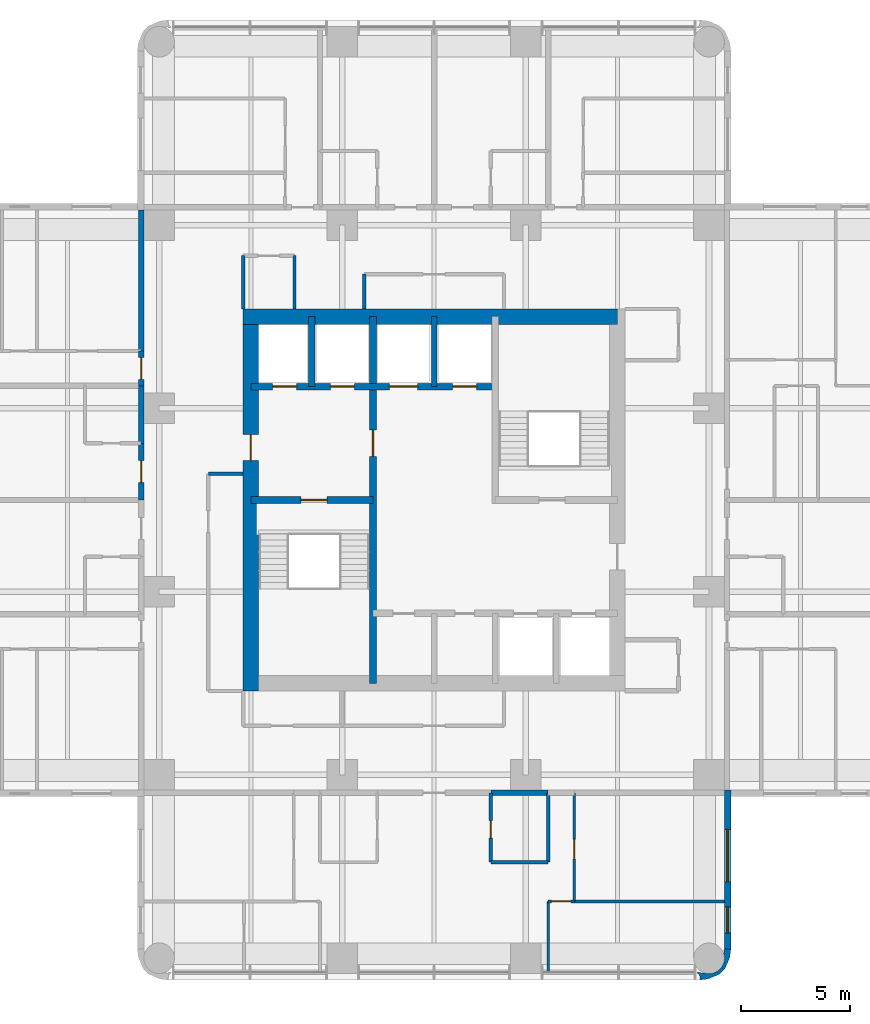
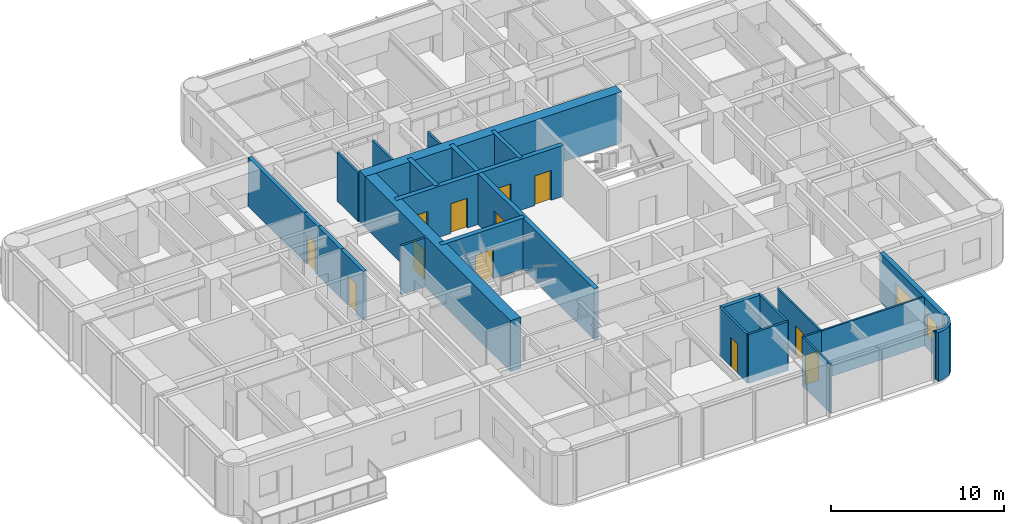
# One storey, part 6 of 11: 25 walls, 12 doors, 2 windows, 14 openings.
"""IFC4 building model written with IfcOpenShell, lengths in metres."""

from ifc_helpers import new_model, si_unit, direction, frame, frame_2d, origin, place, context, subcontext, project, spatial, polyline, rectangle, outline, extrude, material, layer, layer_set, type_object, element, fill, save


model = new_model("IFC4")

# Units and contexts
model_context = context("Model", 3, precision=1e-05, world=origin(), true_north=direction((0.0, 1.0)))
body_context = subcontext(model_context, "Body", "Model", "MODEL_VIEW")
ifc_project = project(units=[si_unit("LENGTHUNIT", "METRE"), si_unit("AREAUNIT", "SQUARE_METRE"), si_unit("VOLUMEUNIT", "CUBIC_METRE"), si_unit("PLANEANGLEUNIT", "RADIAN"), si_unit("MASSUNIT", "GRAM", prefix="KILO")], contexts=[model_context])

# Site, building, storey
site_placement = place(None, origin())
site = spatial("IfcSite", under=ifc_project, at=site_placement, CompositionType="ELEMENT")
building_placement = place(site_placement, origin())
building = spatial("IfcBuilding", under=site, at=building_placement, Name="Torre Alcanfor", CompositionType="ELEMENT")
storey_placement = place(building_placement, frame((0.0, 0.0, 219.300048828125)))
storey = spatial("IfcBuildingStorey", under=building, at=storey_placement, Name="L57", CompositionType="ELEMENT", Elevation=219.300048828125)

# Wall
ifc_material_1 = material(Name="Concrete block masonry, hollow blocks NMX-C-404 9 MPa", Category="masonry")
ifc_layer_1 = layer(ifc_material_1, 0.25)
ifc_layer_set_1 = layer_set([ifc_layer_1], Name="Apartment entrance wall 250 EI 60")
wall_type_1 = type_object("IfcWallType", Name="Apartment entrance wall 250 EI 60", PredefinedType="PARTITIONING", material=ifc_layer_set_1)
wall_1_placement = place(storey_placement, frame((34.62890625, 15.97509765625, 0.0), z_axis=(0.0, 0.0, 1.0), x_axis=(-1.0, 0.0, 0.0)))
element("IfcWall", 1, at=wall_1_placement, inside=storey, type_object=wall_type_1, Name="Partition L57-CORR / L57-SX-BATH2", PredefinedType="PARTITIONING", context=body_context, shape_type="SweptSolid", body=[
    extrude(rectangle(XDim=2.62890625, YDim=0.25, at=frame_2d((1.314453125, 0.0))), origin(), (0.0, 0.0, 1.0), 3.449951171875),
])

# Wall, opening, door
wall_2_placement = place(storey_placement, frame((15.97509765625, 29.39990234375, 0.0), z_axis=(0.0, 0.0, 1.0), x_axis=(0.0, 1.0, 0.0)))
wall_2 = element("IfcWall", 2, at=wall_2_placement, inside=storey, type_object=wall_type_1, Name="Partition L57-CORR / L57-W2A-FOYER", PredefinedType="PARTITIONING", context=body_context, shape_type="SweptSolid", body=[
    extrude(rectangle(XDim=2.60009765625, YDim=0.25, at=frame_2d((1.300048828125, 0.0))), origin(), (0.0, 0.0, 1.0), 3.449951171875),
])
opening_1_placement = place(wall_2_placement, frame((0.800048828125, 0.0, 0.0)))
opening_1 = element("IfcOpeningElement", 3, at=opening_1_placement, cuts=wall_2, Name="Opening D-A1", PredefinedType="OPENING", context=body_context, shape_type="SweptSolid", body=[
    extrude(rectangle(XDim=1.0, YDim=2.10009765625, at=frame_2d((0.5, 1.050048828125))), frame((0.0, 0.135009765625, 0.0), z_axis=(0.0, -1.0, 0.0), x_axis=(1.0, 0.0, 0.0)), (0.0, 0.0, 1.0), 0.27001953125),
])
ifc_material_2 = material(Name="Galvanised steel sheet ASTM A653", Category="steel")
door_type_1 = type_object("IfcDoorType", Name="Apartment entrance door FD60 1000x2100", OperationType="SINGLE_SWING_LEFT", PredefinedType="DOOR", material=ifc_material_2)
door_1_placement = place(opening_1_placement, origin())
door_1 = element("IfcDoor", 4, at=door_1_placement, inside=storey, type_object=door_type_1, Name="Apartment entrance L57-W2A", OperationType="SINGLE_SWING_LEFT", OverallHeight=2.10009765625, OverallWidth=1.0, PredefinedType="DOOR", context=body_context, shape_type="SweptSolid", body=[
    extrude(rectangle(XDim=1.0, YDim=2.10009765625, at=frame_2d((0.5, 1.050048828125))), frame((0.0, 0.02490234375, 0.0), z_axis=(0.0, -1.0, 0.0), x_axis=(1.0, 0.0, 0.0)), (0.0, 0.0, 1.0), 0.050048828125),
])
fill(opening_1, door_1)

# Wall
wall_3_placement = place(storey_placement, frame((15.97509765625, 32.0, 0.0), z_axis=(0.0, 0.0, 1.0), x_axis=(0.0, 1.0, 0.0)))
element("IfcWall", 5, at=wall_3_placement, inside=storey, type_object=wall_type_1, Name="Partition L57-CORR / L57-W2A-BATH", PredefinedType="PARTITIONING", context=body_context, shape_type="SweptSolid", body=[
    extrude(rectangle(XDim=2.62890625, YDim=0.25, at=frame_2d((1.314453125, 0.0))), origin(), (0.0, 0.0, 1.0), 3.449951171875),
])

# Wall, opening, door
wall_4_placement = place(storey_placement, frame((15.97509765625, 34.62890625, 0.0), z_axis=(0.0, 0.0, 1.0), x_axis=(0.0, 1.0, 0.0)))
wall_4 = element("IfcWall", 6, at=wall_4_placement, inside=storey, type_object=wall_type_1, Name="Partition L57-CORR / L57-W2B-HALL", PredefinedType="PARTITIONING", context=body_context, shape_type="SweptSolid", body=[
    extrude(rectangle(XDim=1.60009765625, YDim=0.25, at=frame_2d((0.800048828125, 0.0))), origin(), (0.0, 0.0, 1.0), 3.449951171875),
])
opening_2_placement = place(wall_4_placement, frame((0.300048828125, 0.0, 0.0)))
opening_2 = element("IfcOpeningElement", 7, at=opening_2_placement, cuts=wall_4, Name="Opening D-A1", PredefinedType="OPENING", context=body_context, shape_type="SweptSolid", body=[
    extrude(rectangle(XDim=1.0, YDim=2.10009765625, at=frame_2d((0.5, 1.050048828125))), frame((0.0, 0.135009765625, 0.0), z_axis=(0.0, -1.0, 0.0), x_axis=(1.0, 0.0, 0.0)), (0.0, 0.0, 1.0), 0.27001953125),
])
door_2_placement = place(opening_2_placement, origin())
door_2 = element("IfcDoor", 8, at=door_2_placement, inside=storey, type_object=door_type_1, Name="Apartment entrance L57-W2B", OperationType="SINGLE_SWING_LEFT", OverallHeight=2.10009765625, OverallWidth=1.0, PredefinedType="DOOR", context=body_context, shape_type="SweptSolid", body=[
    extrude(rectangle(XDim=1.0, YDim=2.10009765625, at=frame_2d((0.5, 1.050048828125))), frame((0.0, 0.02490234375, 0.0), z_axis=(0.0, -1.0, 0.0), x_axis=(1.0, 0.0, 0.0)), (0.0, 0.0, 1.0), 0.050048828125),
])
fill(opening_2, door_2)

# Wall
wall_5_placement = place(storey_placement, frame((15.97509765625, 36.22900390625, 0.0), z_axis=(0.0, 0.0, 1.0), x_axis=(0.0, 1.0, 0.0)))
element("IfcWall", 9, at=wall_5_placement, inside=storey, type_object=wall_type_1, Name="Partition L57-CORR / L57-W2B-MASTER", PredefinedType="PARTITIONING", context=body_context, shape_type="SweptSolid", body=[
    extrude(rectangle(XDim=6.470947265625, YDim=0.25, at=frame_2d((3.2353515625, 0.0))), origin(), (0.0, 0.0, 1.0), 3.449951171875),
])

# Wall, opening, door
ifc_material_3 = material(Name="Gypsum board on steel studs", Category="steel")
ifc_layer_2 = layer(ifc_material_3, 0.1201171875)
ifc_layer_set_2 = layer_set([ifc_layer_2], Name="Apartment partition 120")
wall_type_2 = type_object("IfcWallType", Name="Apartment partition 120", PredefinedType="PARTITIONING", material=ifc_layer_set_2)
wall_6_placement = place(storey_placement, frame((35.8291015625, 15.97509765625, 0.0), z_axis=(0.0, 0.0, 1.0), x_axis=(0.0, -1.0, 0.0)))
wall_6 = element("IfcWall", 10, at=wall_6_placement, inside=storey, type_object=wall_type_2, Name="Partition L57-SX-LIVING / L57-SX-BED2", PredefinedType="PARTITIONING", context=body_context, shape_type="SweptSolid", body=[
    extrude(rectangle(XDim=4.97509765625, YDim=0.1201171875, at=frame_2d((2.487548828125, 0.0))), origin(), (0.0, 0.0, 1.0), 3.449951171875),
])
opening_3_placement = place(wall_6_placement, frame((2.125, 0.0, 0.0)))
opening_3 = element("IfcOpeningElement", 11, at=opening_3_placement, cuts=wall_6, Name="Opening D-R1", PredefinedType="OPENING", context=body_context, shape_type="SweptSolid", body=[
    extrude(rectangle(XDim=0.89990234375, YDim=2.10009765625, at=frame_2d((0.449951171875, 1.050048828125))), frame((0.0, 0.070068359375, 0.0), z_axis=(0.0, -1.0, 0.0), x_axis=(1.0, 0.0, 0.0)), (0.0, 0.0, 1.0), 0.14013671875),
])
ifc_material_4 = material(Name="Timber", Category="wood")
door_type_2 = type_object("IfcDoorType", Name="Internal door 900x2100", OperationType="SINGLE_SWING_LEFT", PredefinedType="DOOR", material=ifc_material_4)
door_3_placement = place(opening_3_placement, origin())
door_3 = element("IfcDoor", 12, at=door_3_placement, inside=storey, type_object=door_type_2, Name="Door L57-SX bed2", OperationType="SINGLE_SWING_RIGHT", OverallHeight=2.10009765625, OverallWidth=0.89990234375, PredefinedType="DOOR", context=body_context, shape_type="SweptSolid", body=[
    extrude(rectangle(XDim=0.89990234375, YDim=2.10009765625, at=frame_2d((0.449951171875, 1.050048828125))), frame((0.0, 0.02490234375, 0.0), z_axis=(0.0, -1.0, 0.0), x_axis=(1.0, 0.0, 0.0)), (0.0, 0.0, 1.0), 0.050048828125),
])
fill(opening_3, door_3)

wall_7_placement = place(storey_placement, frame((35.8291015625, 11.0, 0.0), z_axis=(0.0, 0.0, 1.0), x_axis=(-1.0, 0.0, 0.0)))
wall_7 = element("IfcWall", 13, at=wall_7_placement, inside=storey, type_object=wall_type_2, Name="Partition L57-SX-LIVING / L57-SX-MASTER", PredefinedType="PARTITIONING", context=body_context, shape_type="SweptSolid", body=[
    extrude(rectangle(XDim=1.2001953125, YDim=0.1201171875, at=frame_2d((0.60009765625, 0.0))), origin(), (0.0, 0.0, 1.0), 3.449951171875),
])
opening_4_placement = place(wall_7_placement, frame((0.14892578125, 0.0, 0.0)))
opening_4 = element("IfcOpeningElement", 14, at=opening_4_placement, cuts=wall_7, Name="Opening D-R1", PredefinedType="OPENING", context=body_context, shape_type="SweptSolid", body=[
    extrude(rectangle(XDim=0.89990234375, YDim=2.10009765625, at=frame_2d((0.449951171875, 1.050048828125))), frame((0.0, 0.070068359375, 0.0), z_axis=(0.0, -1.0, 0.0), x_axis=(1.0, 0.0, 0.0)), (0.0, 0.0, 1.0), 0.14013671875),
])
door_4_placement = place(opening_4_placement, origin())
door_4 = element("IfcDoor", 15, at=door_4_placement, inside=storey, type_object=door_type_2, Name="Door L57-SX master", OperationType="SINGLE_SWING_RIGHT", OverallHeight=2.10009765625, OverallWidth=0.89990234375, PredefinedType="DOOR", context=body_context, shape_type="SweptSolid", body=[
    extrude(rectangle(XDim=0.89990234375, YDim=2.10009765625, at=frame_2d((0.449951171875, 1.050048828125))), frame((0.0, 0.02490234375, 0.0), z_axis=(0.0, -1.0, 0.0), x_axis=(1.0, 0.0, 0.0)), (0.0, 0.0, 1.0), 0.050048828125),
])
fill(opening_4, door_4)

# Walls
wall_8_placement = place(storey_placement, frame((34.62890625, 11.0, 0.0), z_axis=(0.0, 0.0, 1.0), x_axis=(0.0, -1.0, 0.0)))
element("IfcWall", 16, at=wall_8_placement, inside=storey, type_object=wall_type_2, Name="Partition L57-SX-LIVING / L57-SX-MASTER", PredefinedType="PARTITIONING", context=body_context, shape_type="SweptSolid", body=[
    extrude(rectangle(XDim=3.25, YDim=0.1201171875, at=frame_2d((1.625, 0.0))), origin(), (0.0, 0.0, 1.0), 3.449951171875),
])
wall_9_placement = place(storey_placement, frame((35.8291015625, 11.0, 0.0), z_axis=(0.0, 0.0, 1.0), x_axis=(1.0, 0.0, 0.0)))
element("IfcWall", 17, at=wall_9_placement, inside=storey, type_object=wall_type_2, Name="Partition L57-SX-BED2 / L57-SX-MASTER", PredefinedType="PARTITIONING", context=body_context, shape_type="SweptSolid", body=[
    extrude(rectangle(XDim=6.870849609375, YDim=0.1201171875, at=frame_2d((3.435546875, 0.0))), origin(), (0.0, 0.0, 1.0), 3.449951171875),
])

# Wall, opening, door
ifc_material_5 = material(Name="Concrete f'c 70 MPa", Category="concrete")
ifc_layer_3 = layer(ifc_material_5, 0.300048828125)
ifc_layer_set_3 = layer_set([ifc_layer_3], Name="Core inner wall 300 f'c70")
wall_type_3 = type_object("IfcWallType", Name="Core inner wall 300 f'c70", PredefinedType="SHEAR", material=ifc_layer_set_3)
wall_10_placement = place(storey_placement, frame((26.60009765625, 21.0, 0.0), z_axis=(0.0, 0.0, 1.0), x_axis=(0.0, 1.0, 0.0)))
wall_10 = element("IfcWall", 18, at=wall_10_placement, inside=storey, type_object=wall_type_3, Name="Core wall X266 L57", PredefinedType="SHEAR", context=body_context, shape_type="SweptSolid", body=[
    extrude(rectangle(XDim=16.800048828125, YDim=0.300048828125, at=frame_2d((8.39990234375, 0.0))), origin(), (0.0, 0.0, 1.0), 3.599853515625),
])
opening_5_placement = place(wall_10_placement, frame((10.39990234375, 0.0, 0.0)))
opening_5 = element("IfcOpeningElement", 19, at=opening_5_placement, cuts=wall_10, Name="Opening D-L1", PredefinedType="OPENING", context=body_context, shape_type="SweptSolid", body=[
    extrude(rectangle(XDim=1.199951171875, YDim=2.10009765625, at=frame_2d((0.60009765625, 1.050048828125))), frame((0.0, 0.159912109375, 0.0), z_axis=(0.0, -1.0, 0.0), x_axis=(1.0, 0.0, 0.0)), (0.0, 0.0, 1.0), 0.320068359375),
])
ifc_material_6 = material(Name="Galvanised steel sheet ASTM A653", Category="steel")
door_type_3 = type_object("IfcDoorType", Name="Lobby door FD120 1200x2100", OperationType="SINGLE_SWING_LEFT", PredefinedType="DOOR", material=ifc_material_6)
door_5_placement = place(opening_5_placement, origin())
door_5 = element("IfcDoor", 20, at=door_5_placement, inside=storey, type_object=door_type_3, Name="Lift lobby door L57", OperationType="SINGLE_SWING_LEFT", OverallHeight=2.10009765625, OverallWidth=1.199951171875, PredefinedType="DOOR", context=body_context, shape_type="SweptSolid", body=[
    extrude(rectangle(XDim=1.199951171875, YDim=2.10009765625, at=frame_2d((0.60009765625, 1.050048828125))), frame((0.0, 0.02490234375, 0.0), z_axis=(0.0, -1.0, 0.0), x_axis=(1.0, 0.0, 0.0)), (0.0, 0.0, 1.0), 0.050048828125),
])
fill(opening_5, door_5)

wall_11_placement = place(storey_placement, frame((21.0, 29.39990234375, 0.0), z_axis=(0.0, 0.0, 1.0), x_axis=(1.0, 0.0, 0.0)))
wall_11 = element("IfcWall", 21, at=wall_11_placement, inside=storey, type_object=wall_type_3, Name="Core wall Y294W L57", PredefinedType="SHEAR", context=body_context, shape_type="SweptSolid", body=[
    extrude(rectangle(XDim=5.60009765625, YDim=0.300048828125, at=frame_2d((2.800048828125, 0.0))), origin(), (0.0, 0.0, 1.0), 3.599853515625),
])
opening_6_placement = place(wall_11_placement, frame((2.300048828125, 0.0, 0.0)))
opening_6 = element("IfcOpeningElement", 22, at=opening_6_placement, cuts=wall_11, Name="Opening D-S2", PredefinedType="OPENING", context=body_context, shape_type="SweptSolid", body=[
    extrude(rectangle(XDim=1.199951171875, YDim=2.10009765625, at=frame_2d((0.60009765625, 1.050048828125))), frame((0.0, 0.159912109375, 0.0), z_axis=(0.0, -1.0, 0.0), x_axis=(1.0, 0.0, 0.0)), (0.0, 0.0, 1.0), 0.320068359375),
])
ifc_material_7 = material(Name="Galvanised steel sheet ASTM A653", Category="steel")
door_type_4 = type_object("IfcDoorType", Name="Stair enclosure door FD120 1200x2100", OperationType="SINGLE_SWING_LEFT", PredefinedType="DOOR", material=ifc_material_7)
door_6_placement = place(opening_6_placement, frame((1.199951171875, 0.0, 0.0), z_axis=(0.0, 0.0, 1.0), x_axis=(-1.0, 0.0, 0.0)))
door_6 = element("IfcDoor", 23, at=door_6_placement, inside=storey, type_object=door_type_4, Name="Stair S1 door L57", OperationType="SINGLE_SWING_LEFT", OverallHeight=2.10009765625, OverallWidth=1.199951171875, PredefinedType="DOOR", context=body_context, shape_type="SweptSolid", body=[
    extrude(rectangle(XDim=1.199951171875, YDim=2.10009765625, at=frame_2d((0.599853515625, 1.050048828125))), frame((0.0, 0.025146484375, 0.0), z_axis=(0.0, -1.0, 0.0), x_axis=(1.0, 0.0, 0.0)), (0.0, 0.0, 1.0), 0.050048828125),
])
fill(opening_6, door_6)

# Wall, openings, doors
wall_12_placement = place(storey_placement, frame((21.0, 34.60009765625, 0.0), z_axis=(0.0, 0.0, 1.0), x_axis=(1.0, 0.0, 0.0)))
wall_12 = element("IfcWall", 24, at=wall_12_placement, inside=storey, type_object=wall_type_3, Name="Core wall Y346 L57", PredefinedType="SHEAR", context=body_context, shape_type="SweptSolid", body=[
    extrude(rectangle(XDim=11.199951171875, YDim=0.300048828125, at=frame_2d((5.60009765625, 0.0))), origin(), (0.0, 0.0, 1.0), 3.599853515625),
])
opening_7_placement = place(wall_12_placement, frame((9.25, 0.0, 0.0)))
opening_7 = element("IfcOpeningElement", 25, at=opening_7_placement, cuts=wall_12, Name="Opening LD1", PredefinedType="OPENING", context=body_context, shape_type="SweptSolid", body=[
    extrude(rectangle(XDim=1.10009765625, YDim=2.10009765625, at=frame_2d((0.550048828125, 1.050048828125))), frame((0.0, 0.159912109375, 0.0), z_axis=(0.0, -1.0, 0.0), x_axis=(1.0, 0.0, 0.0)), (0.0, 0.0, 1.0), 0.320068359375),
])
opening_8_placement = place(wall_12_placement, frame((1.0, 0.0, 0.0)))
opening_8 = element("IfcOpeningElement", 26, at=opening_8_placement, cuts=wall_12, Name="Opening LD2", PredefinedType="OPENING", context=body_context, shape_type="SweptSolid", body=[
    extrude(rectangle(XDim=1.10009765625, YDim=2.10009765625, at=frame_2d((0.550048828125, 1.050048828125))), frame((0.0, 0.159912109375, 0.0), z_axis=(0.0, -1.0, 0.0), x_axis=(1.0, 0.0, 0.0)), (0.0, 0.0, 1.0), 0.320068359375),
])
opening_9_placement = place(wall_12_placement, frame((3.64990234375, 0.0, 0.0)))
opening_9 = element("IfcOpeningElement", 27, at=opening_9_placement, cuts=wall_12, Name="Opening LD2", PredefinedType="OPENING", context=body_context, shape_type="SweptSolid", body=[
    extrude(rectangle(XDim=1.10009765625, YDim=2.10009765625, at=frame_2d((0.550048828125, 1.050048828125))), frame((0.0, 0.159912109375, 0.0), z_axis=(0.0, -1.0, 0.0), x_axis=(1.0, 0.0, 0.0)), (0.0, 0.0, 1.0), 0.320068359375),
])
opening_10_placement = place(wall_12_placement, frame((6.35009765625, 0.0, 0.0)))
opening_10 = element("IfcOpeningElement", 28, at=opening_10_placement, cuts=wall_12, Name="Opening LD3", PredefinedType="OPENING", context=body_context, shape_type="SweptSolid", body=[
    extrude(rectangle(XDim=1.300048828125, YDim=2.10009765625, at=frame_2d((0.64990234375, 1.050048828125))), frame((0.0, 0.159912109375, 0.0), z_axis=(0.0, -1.0, 0.0), x_axis=(1.0, 0.0, 0.0)), (0.0, 0.0, 1.0), 0.320068359375),
])
ifc_material_8 = material(Name="Galvanised steel sheet ASTM A653", Category="steel")
door_type_5 = type_object("IfcDoorType", Name="Firefighting lift landing door 1100x2100", OperationType="DOUBLE_DOOR_SLIDING", PredefinedType="DOOR", material=ifc_material_8)
door_7_placement = place(opening_8_placement, origin())
door_7 = element("IfcDoor", 29, at=door_7_placement, inside=storey, type_object=door_type_5, Name="Lift landing door FL1 L57", OperationType="DOUBLE_DOOR_SLIDING", OverallHeight=2.10009765625, OverallWidth=1.10009765625, PredefinedType="DOOR", context=body_context, shape_type="SweptSolid", body=[
    extrude(rectangle(XDim=1.10009765625, YDim=2.10009765625, at=frame_2d((0.550048828125, 1.050048828125))), frame((0.0, 0.02490234375, 0.0), z_axis=(0.0, -1.0, 0.0), x_axis=(1.0, 0.0, 0.0)), (0.0, 0.0, 1.0), 0.050048828125),
])
fill(opening_8, door_7)
door_8_placement = place(opening_9_placement, origin())
door_8 = element("IfcDoor", 30, at=door_8_placement, inside=storey, type_object=door_type_5, Name="Lift landing door FL2 L57", OperationType="DOUBLE_DOOR_SLIDING", OverallHeight=2.10009765625, OverallWidth=1.10009765625, PredefinedType="DOOR", context=body_context, shape_type="SweptSolid", body=[
    extrude(rectangle(XDim=1.10009765625, YDim=2.10009765625, at=frame_2d((0.550048828125, 1.050048828125))), frame((0.0, 0.02490234375, 0.0), z_axis=(0.0, -1.0, 0.0), x_axis=(1.0, 0.0, 0.0)), (0.0, 0.0, 1.0), 0.050048828125),
])
fill(opening_9, door_8)
ifc_material_9 = material(Name="Galvanised steel sheet ASTM A653", Category="steel")
door_type_6 = type_object("IfcDoorType", Name="Lift landing door 1100x2100", OperationType="DOUBLE_DOOR_SLIDING", PredefinedType="DOOR", material=ifc_material_9)
door_9_placement = place(opening_7_placement, origin())
door_9 = element("IfcDoor", 31, at=door_9_placement, inside=storey, type_object=door_type_6, Name="Lift landing door PA5 L57", OperationType="DOUBLE_DOOR_SLIDING", OverallHeight=2.10009765625, OverallWidth=1.10009765625, PredefinedType="DOOR", context=body_context, shape_type="SweptSolid", body=[
    extrude(rectangle(XDim=1.10009765625, YDim=2.10009765625, at=frame_2d((0.550048828125, 1.050048828125))), frame((0.0, 0.02490234375, 0.0), z_axis=(0.0, -1.0, 0.0), x_axis=(1.0, 0.0, 0.0)), (0.0, 0.0, 1.0), 0.050048828125),
])
fill(opening_7, door_9)
ifc_material_10 = material(Name="Galvanised steel sheet ASTM A653", Category="steel")
door_type_7 = type_object("IfcDoorType", Name="Service lift landing door 1300x2100", OperationType="DOUBLE_DOOR_SLIDING", PredefinedType="DOOR", material=ifc_material_10)
door_10_placement = place(opening_10_placement, origin())
door_10 = element("IfcDoor", 32, at=door_10_placement, inside=storey, type_object=door_type_7, Name="Lift landing door SL1 L57", OperationType="DOUBLE_DOOR_SLIDING", OverallHeight=2.10009765625, OverallWidth=1.300048828125, PredefinedType="DOOR", context=body_context, shape_type="SweptSolid", body=[
    extrude(rectangle(XDim=1.300048828125, YDim=2.10009765625, at=frame_2d((0.64990234375, 1.050048828125))), frame((0.0, 0.02490234375, 0.0), z_axis=(0.0, -1.0, 0.0), x_axis=(1.0, 0.0, 0.0)), (0.0, 0.0, 1.0), 0.050048828125),
])
fill(opening_10, door_10)

# Walls
wall_13_placement = place(storey_placement, frame((23.800048828125, 34.60009765625, 0.0), z_axis=(0.0, 0.0, 1.0), x_axis=(0.0, 1.0, 0.0)))
element("IfcWall", 33, at=wall_13_placement, inside=storey, type_object=wall_type_3, Name="Core wall X238 L57", PredefinedType="SHEAR", context=body_context, shape_type="SweptSolid", body=[
    extrude(rectangle(XDim=3.199951171875, YDim=0.300048828125, at=frame_2d((1.60009765625, 0.0))), origin(), (0.0, 0.0, 1.0), 3.599853515625),
])
ifc_material_11 = material(Name="Concrete f'c 70 MPa", Category="concrete")
ifc_layer_4 = layer(ifc_material_11, 0.25)
ifc_layer_set_4 = layer_set([ifc_layer_4], Name="Core shaft wall 250 f'c70")
wall_type_4 = type_object("IfcWallType", Name="Core shaft wall 250 f'c70", PredefinedType="SHEAR", material=ifc_layer_set_4)
wall_14_placement = place(storey_placement, frame((29.39990234375, 34.60009765625, 0.0), z_axis=(0.0, 0.0, 1.0), x_axis=(0.0, 1.0, 0.0)))
element("IfcWall", 34, at=wall_14_placement, inside=storey, type_object=wall_type_4, Name="Core wall X294N L57", PredefinedType="SHEAR", context=body_context, shape_type="SweptSolid", body=[
    extrude(rectangle(XDim=3.199951171875, YDim=0.25, at=frame_2d((1.60009765625, 0.0))), origin(), (0.0, 0.0, 1.0), 3.599853515625),
])
ifc_material_12 = material(Name="Concrete f'c 70 MPa", Category="concrete")
ifc_layer_5 = layer(ifc_material_12, 0.699951171875)
ifc_layer_set_5 = layer_set([ifc_layer_5], Name="Core wall 700 f'c70")
wall_type_5 = type_object("IfcWallType", Name="Core wall 700 f'c70", PredefinedType="SHEAR", material=ifc_layer_set_5)
wall_15_placement = place(storey_placement, frame((37.800048828125, 37.800048828125, 0.0), z_axis=(0.0, 0.0, 1.0), x_axis=(-1.0, 0.0, 0.0)))
element("IfcWall", 35, at=wall_15_placement, inside=storey, type_object=wall_type_5, Name="Core wall OUT-N L57", PredefinedType="SHEAR", context=body_context, shape_type="SweptSolid", body=[
    extrude(rectangle(XDim=17.150146484375, YDim=0.699951171875, at=frame_2d((8.5751953125, 0.0))), origin(), (0.0, 0.0, 1.0), 3.599853515625),
])

# Wall, opening, door
wall_16_placement = place(storey_placement, frame((21.0, 37.800048828125, 0.0), z_axis=(0.0, 0.0, 1.0), x_axis=(0.0, -1.0, 0.0)))
wall_16 = element("IfcWall", 36, at=wall_16_placement, inside=storey, type_object=wall_type_5, Name="Core wall OUT-W L57", PredefinedType="SHEAR", context=body_context, shape_type="SweptSolid", body=[
    extrude(rectangle(XDim=17.150146484375, YDim=0.699951171875, at=frame_2d((8.5751953125, 0.0))), origin(), (0.0, 0.0, 1.0), 3.599853515625),
])
opening_11_placement = place(wall_16_placement, frame((5.39990234375, 0.0, 0.0)))
opening_11 = element("IfcOpeningElement", 37, at=opening_11_placement, cuts=wall_16, Name="Opening D-L1", PredefinedType="OPENING", context=body_context, shape_type="SweptSolid", body=[
    extrude(rectangle(XDim=1.199951171875, YDim=2.10009765625, at=frame_2d((0.60009765625, 1.050048828125))), frame((0.0, 0.35986328125, 0.0), z_axis=(0.0, -1.0, 0.0), x_axis=(1.0, 0.0, 0.0)), (0.0, 0.0, 1.0), 0.719970703125),
])
door_11_placement = place(opening_11_placement, origin())
door_11 = element("IfcDoor", 38, at=door_11_placement, inside=storey, type_object=door_type_3, Name="Firefighting lobby door L57", OperationType="SINGLE_SWING_LEFT", OverallHeight=2.10009765625, OverallWidth=1.199951171875, PredefinedType="DOOR", context=body_context, shape_type="SweptSolid", body=[
    extrude(rectangle(XDim=1.199951171875, YDim=2.10009765625, at=frame_2d((0.60009765625, 1.050048828125))), frame((0.0, 0.02490234375, 0.0), z_axis=(0.0, -1.0, 0.0), x_axis=(1.0, 0.0, 0.0)), (0.0, 0.0, 1.0), 0.050048828125),
])
fill(opening_11, door_11)

# Wall, openings, windows
ifc_material_13 = material(Name="Limestone cladding", Category="masonry")
ifc_layer_6 = layer(ifc_material_13, 0.0400390625, Name="Facing")
ifc_material_14 = material(Name="Ventilated air cavity")
ifc_layer_7 = layer(ifc_material_14, 0.02001953125, ventilated=True, Name="Ventilated joint")
ifc_material_15 = material(Name="Mineral wool insulation", Category="insulation")
ifc_layer_8 = layer(ifc_material_15, 0.10009765625, Name="Insulation")
ifc_material_16 = material(Name="Concrete f'c 35 MPa", Category="concrete")
ifc_layer_9 = layer(ifc_material_16, 0.139892578125, Name="Backing")
ifc_layer_set_6 = layer_set([ifc_layer_6, ifc_layer_7, ifc_layer_8, ifc_layer_9], Name="External wall stone-clad 300")
wall_type_6 = type_object("IfcWallType", Name="External wall stone-clad 300", PredefinedType="SOLIDWALL", material=ifc_layer_set_6)
wall_17_placement = place(storey_placement, frame((42.85009765625, 8.800048828125, 0.0), z_axis=(0.0, 0.0, 1.0), x_axis=(0.0, 1.0, 0.0)))
wall_17 = element("IfcWall", 39, at=wall_17_placement, inside=storey, type_object=wall_type_6, Name="External wall L57 6", PredefinedType="SOLIDWALL", context=body_context, shape_type="SweptSolid", body=[
    extrude(rectangle(XDim=7.300048828125, YDim=0.300048828125, at=frame_2d((3.64990234375, 0.0))), origin(), (0.0, 0.0, 1.0), 3.449951171875),
])
opening_12_placement = place(wall_17_placement, frame((3.10009765625, 0.0, 0.89990234375)))
opening_12 = element("IfcOpeningElement", 40, at=opening_12_placement, cuts=wall_17, Name="Opening W1", PredefinedType="OPENING", context=body_context, shape_type="SweptSolid", body=[
    extrude(rectangle(XDim=2.39990234375, YDim=1.5, at=frame_2d((1.199951171875, 0.75))), frame((0.0, 0.159912109375, 0.0), z_axis=(0.0, -1.0, 0.0), x_axis=(1.0, 0.0, 0.0)), (0.0, 0.0, 1.0), 0.320068359375),
])
opening_13_placement = place(wall_17_placement, frame((0.75, 0.0, 0.89990234375)))
opening_13 = element("IfcOpeningElement", 41, at=opening_13_placement, cuts=wall_17, Name="Opening W4", PredefinedType="OPENING", context=body_context, shape_type="SweptSolid", body=[
    extrude(rectangle(XDim=1.199951171875, YDim=1.5, at=frame_2d((0.60009765625, 0.75))), frame((0.0, 0.159912109375, 0.0), z_axis=(0.0, -1.0, 0.0), x_axis=(1.0, 0.0, 0.0)), (0.0, 0.0, 1.0), 0.320068359375),
])
ifc_material_17 = material(Name="Aluminium frame with clear double glazing", Category="aluminium")
window_type_1 = type_object("IfcWindowType", Name="Window bedroom 1200x1500", PartitioningType="SINGLE_PANEL", PredefinedType="WINDOW", material=ifc_material_17)
window_1_placement = place(opening_13_placement, origin())
window_1 = element("IfcWindow", 42, at=window_1_placement, inside=storey, type_object=window_type_1, Name="Window W4 L57-S1", OverallHeight=1.5, OverallWidth=1.199951171875, PartitioningType="SINGLE_PANEL", PredefinedType="WINDOW", context=body_context, shape_type="SweptSolid", body=[
    extrude(rectangle(XDim=1.199951171875, YDim=1.5, at=frame_2d((0.60009765625, 0.75))), frame((0.0, 0.030029296875, 0.0), z_axis=(0.0, -1.0, 0.0), x_axis=(1.0, 0.0, 0.0)), (0.0, 0.0, 1.0), 0.06005859375),
])
fill(opening_13, window_1)
ifc_material_18 = material(Name="Aluminium frame with clear double glazing", Category="aluminium")
window_type_2 = type_object("IfcWindowType", Name="Window bedroom 2400x1500", PartitioningType="SINGLE_PANEL", PredefinedType="WINDOW", material=ifc_material_18)
window_2_placement = place(opening_12_placement, origin())
window_2 = element("IfcWindow", 43, at=window_2_placement, inside=storey, type_object=window_type_2, Name="Window W1 L57-S1", OverallHeight=1.5, OverallWidth=2.39990234375, PartitioningType="SINGLE_PANEL", PredefinedType="WINDOW", context=body_context, shape_type="SweptSolid", body=[
    extrude(rectangle(XDim=2.39990234375, YDim=1.5, at=frame_2d((1.199951171875, 0.75))), frame((0.0, 0.030029296875, 0.0), z_axis=(0.0, -1.0, 0.0), x_axis=(1.0, 0.0, 0.0)), (0.0, 0.0, 1.0), 0.06005859375),
])
fill(opening_12, window_2)

# Walls
ifc_material_19 = material(Name="Concrete block masonry, hollow blocks NMX-C-404 9 MPa", Category="masonry")
ifc_layer_10 = layer(ifc_material_19, 0.14990234375)
ifc_layer_set_7 = layer_set([ifc_layer_10], Name="Residents' room partition 150")
wall_type_7 = type_object("IfcWallType", Name="Residents' room partition 150", PredefinedType="PARTITIONING", material=ifc_layer_set_7)
for number, where, z_axis, x_axis, name in (
    (44, (23.0, 38.14990234375, 0.0), (0.0, 0.0, 1.0), (0.0, 1.0, 0.0), "Partition L57-CORR / L57-G01"),
    (45, (20.64990234375, 40.60009765625, 0.0), (0.0, 0.0, 1.0), (0.0, -1.0, 0.0), "Partition L57-CORR / L57-G01"),
):
    element("IfcWall", number, at=place(storey_placement, frame(where, z_axis=z_axis, x_axis=x_axis)), inside=storey, type_object=wall_type_7, Name=name, PredefinedType="PARTITIONING", context=body_context, shape_type="SweptSolid", body=[
        extrude(rectangle(XDim=2.4501953125, YDim=0.14990234375, at=frame_2d((1.22509765625, 0.0))), origin(), (0.0, 0.0, 1.0), 3.449951171875),
    ])
wall_18_placement = place(storey_placement, frame((26.199951171875, 39.75, 0.0), z_axis=(0.0, 0.0, 1.0), x_axis=(0.0, -1.0, 0.0)))
element("IfcWall", 46, at=wall_18_placement, inside=storey, type_object=wall_type_7, Name="Partition L57-CORR / L57-G02", PredefinedType="PARTITIONING", context=body_context, shape_type="SweptSolid", body=[
    extrude(rectangle(XDim=1.60009765625, YDim=0.14990234375, at=frame_2d((0.800048828125, 0.0))), origin(), (0.0, 0.0, 1.0), 3.449951171875),
])
wall_19_placement = place(storey_placement, frame((20.64990234375, 30.60009765625, 0.0), z_axis=(0.0, 0.0, 1.0), x_axis=(-1.0, 0.0, 0.0)))
element("IfcWall", 47, at=wall_19_placement, inside=storey, type_object=wall_type_7, Name="Partition L57-CORR / L57-G07", PredefinedType="PARTITIONING", context=body_context, shape_type="SweptSolid", body=[
    extrude(rectangle(XDim=1.599853515625, YDim=0.14990234375, at=frame_2d((0.7998046875, 0.0))), origin(), (0.0, 0.0, 1.0), 3.449951171875),
])
ifc_layer_11 = layer(ifc_material_13, 0.0400390625, Name="Facing")
ifc_layer_12 = layer(ifc_material_14, 0.02001953125, ventilated=True, Name="Ventilated joint")
ifc_layer_13 = layer(ifc_material_15, 0.10009765625, Name="Insulation")
ifc_layer_14 = layer(ifc_material_16, 0.139892578125, Name="Backing")
ifc_layer_set_8 = layer_set([ifc_layer_11, ifc_layer_12, ifc_layer_13, ifc_layer_14], Name="Rounded corner pier stone-clad 300")
wall_type_8 = type_object("IfcWallType", Name="Rounded corner pier stone-clad 300", PredefinedType="SOLIDWALL", material=ifc_layer_set_8)
wall_20_placement = place(storey_placement, frame((41.487674505, 7.81184816, 0.0), z_axis=(0.0, 0.0, 1.0), x_axis=(0.439933741929, -0.898030234854, 0.0)))
element("IfcWall", 48, at=wall_20_placement, inside=storey, type_object=wall_type_8, Name="Corner pier L57 16", PredefinedType="SOLIDWALL", context=body_context, shape_type="SweptSolid", body=[
    extrude(outline(polyline([(-0.22211106405008596, 1.79285683715578), (-0.38963046514304167, 1.5408036407584151), (-0.3716523207929293, 1.5319963734639448), (-0.19468756344442484, 1.4143112499146666), (-0.11952867709650372, 1.4095716139925836), (0.13084986982823227, 1.2869143060622759), (0.31521775375122, 1.077790939273673), (0.4056918504372342, 0.8140758848288827), (0.38808178724257975, 0.5356161745678794), (0.2654244793122719, 0.2852376276431435), (0.2089428669679142, 0.23542648619150297), (0.14753391384334946, 0.052913590909571956), (0.10500025525893722, 0.07375029645990445), (0.031856974435347366, -0.07555599991115089), (0.1375846098688884, -0.03953909720776211), (0.1818140873587874, -0.00030939302076338215), (0.41939853572309777, -0.08026947549461516), (0.5358164427032454, 0.26614260505761644), (0.5587307592354187, 0.6309028220812384), (0.5547454122460747, 0.6510699721236227), (0.5663481591314005, 0.8356895887147825), (0.4554073490163316, 1.1591818423176052), (0.33330228334154954, 1.2978396679318425), (0.3239786746038034, 1.3165440299102549), (0.08230538830534162, 1.5907138760183892), (-0.22211106405008596, 1.79285683715578)])), origin(), (0.0, 0.0, 1.0), 3.449951171875),
])

# Wall, opening, door
ifc_material_20 = material(Name="Cement board on steel studs", Category="steel")
ifc_layer_15 = layer(ifc_material_20, 0.14990234375)
ifc_layer_set_9 = layer_set([ifc_layer_15], Name="Wet area partition 150")
wall_type_9 = type_object("IfcWallType", Name="Wet area partition 150", PredefinedType="PARTITIONING", material=ifc_layer_set_9)
wall_21_placement = place(storey_placement, frame((32.0, 12.800048828125, 0.0), z_axis=(0.0, 0.0, 1.0), x_axis=(0.0, 1.0, 0.0)))
wall_21 = element("IfcWall", 49, at=wall_21_placement, inside=storey, type_object=wall_type_9, Name="Partition L57-SX-ZAG / L57-SX-BATH2", PredefinedType="PARTITIONING", context=body_context, shape_type="SweptSolid", body=[
    extrude(rectangle(XDim=3.175048828125, YDim=0.14990234375, at=frame_2d((1.58740234375, 0.0))), origin(), (0.0, 0.0, 1.0), 3.449951171875),
])
opening_14_placement = place(wall_21_placement, frame((1.10009765625, 0.0, 0.0)))
opening_14 = element("IfcOpeningElement", 50, at=opening_14_placement, cuts=wall_21, Name="Opening D-R2", PredefinedType="OPENING", context=body_context, shape_type="SweptSolid", body=[
    extrude(rectangle(XDim=0.800048828125, YDim=2.10009765625, at=frame_2d((0.39990234375, 1.050048828125))), frame((0.0, 0.0849609375, 0.0), z_axis=(0.0, -1.0, 0.0), x_axis=(1.0, 0.0, 0.0)), (0.0, 0.0, 1.0), 0.169921875),
])
ifc_material_21 = material(Name="Timber", Category="wood")
door_type_8 = type_object("IfcDoorType", Name="Bathroom door 800x2100", OperationType="SINGLE_SWING_LEFT", PredefinedType="DOOR", material=ifc_material_21)
door_12_placement = place(opening_14_placement, frame((0.800048828125, 0.0, 0.0), z_axis=(0.0, 0.0, 1.0), x_axis=(-1.0, 0.0, 0.0)))
door_12 = element("IfcDoor", 51, at=door_12_placement, inside=storey, type_object=door_type_8, Name="Door L57-SX bath2", OperationType="SINGLE_SWING_RIGHT", OverallHeight=2.10009765625, OverallWidth=0.800048828125, PredefinedType="DOOR", context=body_context, shape_type="SweptSolid", body=[
    extrude(rectangle(XDim=0.800048828125, YDim=2.10009765625, at=frame_2d((0.400146484375, 1.050048828125))), frame((0.0, 0.025146484375, 0.0), z_axis=(0.0, -1.0, 0.0), x_axis=(1.0, 0.0, 0.0)), (0.0, 0.0, 1.0), 0.050048828125),
])
fill(opening_14, door_12)

# Walls
wall_22_placement = place(storey_placement, frame((32.0, 12.800048828125, 0.0), z_axis=(0.0, 0.0, 1.0), x_axis=(1.0, 0.0, 0.0)))
element("IfcWall", 52, at=wall_22_placement, inside=storey, type_object=wall_type_9, Name="Partition L57-SX-BATH2 / L57-SX-LIVING", PredefinedType="PARTITIONING", context=body_context, shape_type="SweptSolid", body=[
    extrude(rectangle(XDim=2.62890625, YDim=0.14990234375, at=frame_2d((1.314453125, 0.0))), origin(), (0.0, 0.0, 1.0), 3.449951171875),
])
wall_23_placement = place(storey_placement, frame((34.62890625, 12.800048828125, 0.0), z_axis=(0.0, 0.0, 1.0), x_axis=(0.0, 1.0, 0.0)))
element("IfcWall", 53, at=wall_23_placement, inside=storey, type_object=wall_type_9, Name="Partition L57-SX-BATH2 / L57-SX-LIVING", PredefinedType="PARTITIONING", context=body_context, shape_type="SweptSolid", body=[
    extrude(rectangle(XDim=3.175048828125, YDim=0.14990234375, at=frame_2d((1.58740234375, 0.0))), origin(), (0.0, 0.0, 1.0), 3.449951171875),
])

save(model, "model.ifc")
